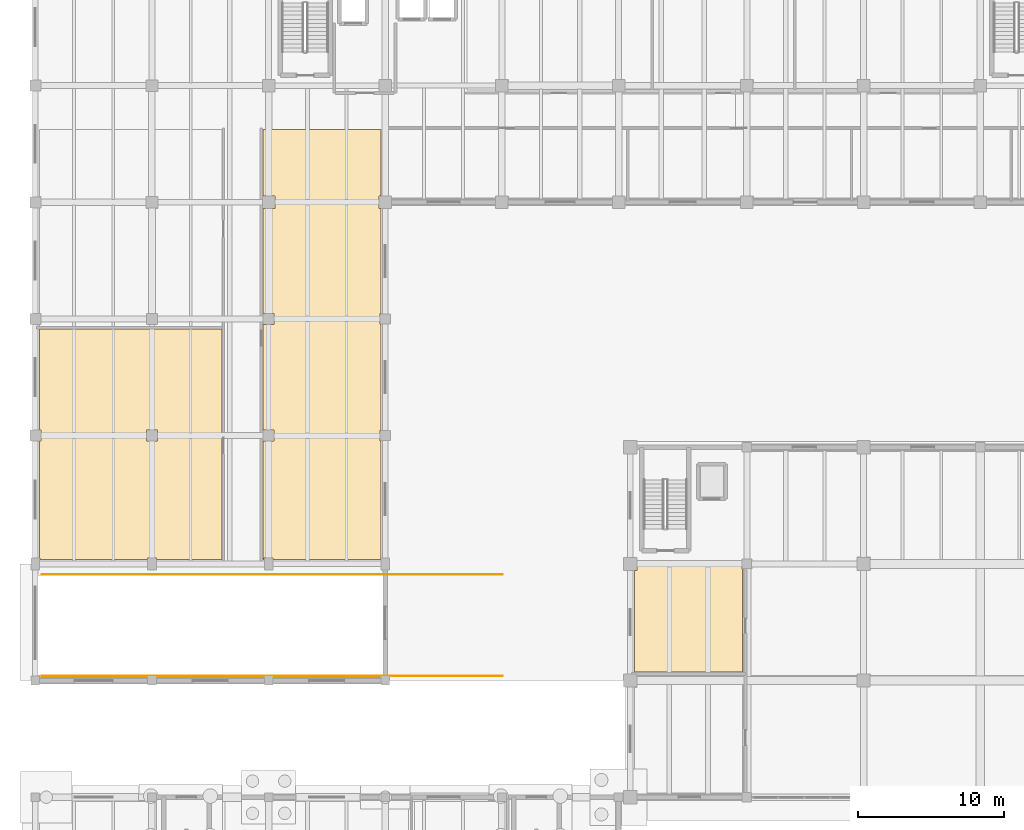
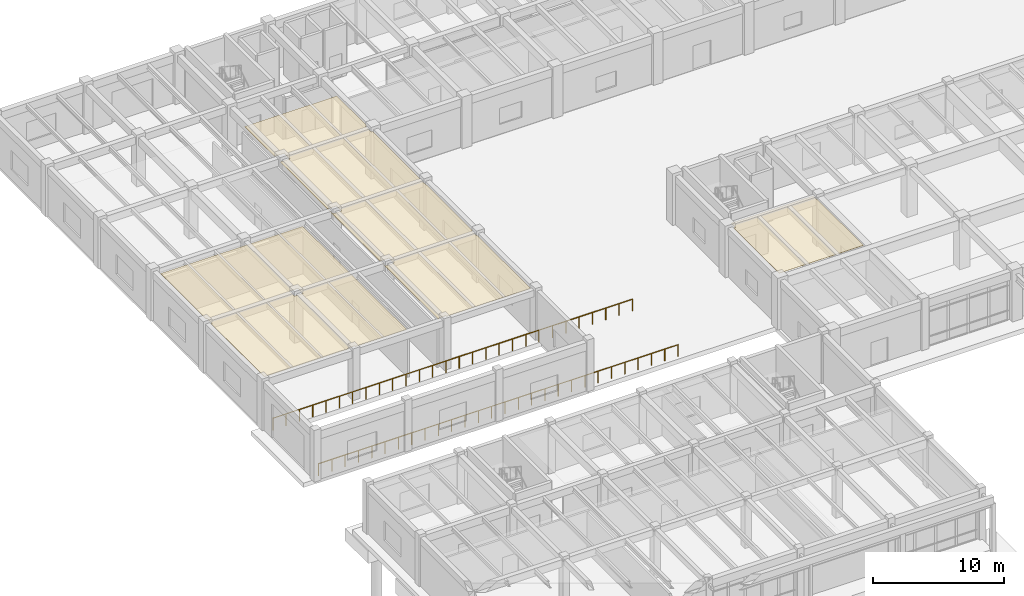
# One storey, part 49 of 64: 3 coverings, 2 railings.
"""IFC4 building model written with IfcOpenShell, lengths in metres."""

from ifc_helpers import new_model, si_unit, direction, frame, origin, origin_2d, place, context, subcontext, project, spatial, polyline, circle, outline, extrude, material, layer, layer_set, type_object, element, save


model = new_model("IFC4")

# Units and contexts
model_context = context("Model", 3, precision=1e-05, world=origin(), true_north=direction((0.0, 1.0)))
body_context = subcontext(model_context, "Body", "Model", "MODEL_VIEW")
ifc_project = project(units=[si_unit("LENGTHUNIT", "METRE"), si_unit("AREAUNIT", "SQUARE_METRE"), si_unit("VOLUMEUNIT", "CUBIC_METRE"), si_unit("PLANEANGLEUNIT", "RADIAN"), si_unit("MASSUNIT", "GRAM", prefix="KILO")], contexts=[model_context])

# Site, building, storey
site_placement = place(None, origin())
site = spatial("IfcSite", under=ifc_project, at=site_placement, CompositionType="ELEMENT")
building_placement = place(site_placement, origin())
building = spatial("IfcBuilding", under=site, at=building_placement, Name="Tlaxcora Railside Police Headquarters", CompositionType="ELEMENT")
storey_placement = place(building_placement, origin())
storey = spatial("IfcBuildingStorey", under=building, at=storey_placement, Name="L00", CompositionType="ELEMENT", Elevation=0.0)

# Coverings
ifc_material_1 = material(Name="Mineral-fibre acoustic ceiling tile")
ifc_layer = layer(ifc_material_1, 0.034912109375, Name="Mineral-fibre acoustic ceiling tile")
ifc_layer_set = layer_set([ifc_layer], Name="Mineral-fibre acoustic ceiling tile")
covering_type = type_object("IfcCoveringType", Name="Acoustic Suspended Ceiling CLG-01", PredefinedType="CEILING", material=ifc_layer_set)
covering_1_placement = place(storey_placement, frame((0.0, 0.0, 4.364990234375)))
element("IfcCovering", 1, at=covering_1_placement, inside=storey, type_object=covering_type, Name="Public Visitor Accessible WC and Restrooms suspended ceiling", PredefinedType="CEILING", context=body_context, shape_type="SweptSolid", body=[
    extrude(outline(polyline([(46.300048828125, 51.5400390625), (46.300048828125, 44.60009765625), (53.699951171875, 44.60009765625), (53.699951171875, 51.6650390625), (53.6650390625, 51.6650390625), (53.6650390625, 52.199951171875), (46.4599609375, 52.199951171875), (46.4599609375, 51.5400390625), (46.300048828125, 51.5400390625)])), origin(), (0.0, 0.0, 1.0), 0.034912109375),
])
covering_2_placement = place(storey_placement, frame((0.0, 0.0, 4.364990234375)))
element("IfcCovering", 2, at=covering_2_placement, inside=storey, type_object=covering_type, Name="Rapid-Response Squad Ready Room suspended ceiling", PredefinedType="CEILING", context=body_context, shape_type="SweptSolid", body=[
    extrude(outline(polyline([(18.0, 52.300048828125), (18.0, 68.10498046875), (5.5, 68.10498046875), (5.5, 61.18505859375), (5.5849609375, 61.18505859375), (5.5849609375, 60.4150390625), (5.5, 60.4150390625), (5.5, 52.409912109375), (5.510009765625, 52.409912109375), (5.510009765625, 52.300048828125), (12.889892578125, 52.300048828125), (12.889892578125, 52.409912109375), (13.510009765625, 52.409912109375), (13.510009765625, 52.300048828125), (18.0, 52.300048828125)]), holes=[polyline([(13.5849609375, 60.4150390625), (12.81494140625, 60.4150390625), (12.81494140625, 61.18505859375), (13.5849609375, 61.18505859375), (13.5849609375, 60.4150390625)])]), origin(), (0.0, 0.0, 1.0), 0.034912109375),
])
covering_3_placement = place(storey_placement, frame((0.0, 0.0, 4.364990234375)))
element("IfcCovering", 3, at=covering_3_placement, inside=storey, type_object=covering_type, Name="Court-Side Case Team Room L00 suspended ceiling", PredefinedType="CEILING", context=body_context, shape_type="SweptSolid", body=[
    extrude(outline(polyline([(20.889892578125, 52.300048828125), (20.889892578125, 52.409912109375), (21.510009765625, 52.409912109375), (21.510009765625, 52.300048828125), (28.889892578125, 52.300048828125), (28.889892578125, 52.409912109375), (28.89990234375, 52.409912109375), (28.89990234375, 60.43994140625), (28.840087890625, 60.43994140625), (28.840087890625, 61.159912109375), (28.89990234375, 61.159912109375), (28.89990234375, 68.43994140625), (28.840087890625, 68.43994140625), (28.840087890625, 69.159912109375), (28.89990234375, 69.159912109375), (28.89990234375, 76.364990234375), (28.764892578125, 76.364990234375), (28.764892578125, 77.235107421875), (28.89990234375, 77.235107421875), (28.89990234375, 81.800048828125), (20.800048828125, 81.800048828125), (20.800048828125, 77.235107421875), (21.635009765625, 77.235107421875), (21.635009765625, 76.364990234375), (20.800048828125, 76.364990234375), (20.800048828125, 52.300048828125), (20.889892578125, 52.300048828125)]), holes=[polyline([(20.81494140625, 61.18505859375), (21.5849609375, 61.18505859375), (21.5849609375, 60.4150390625), (20.81494140625, 60.4150390625), (20.81494140625, 61.18505859375)]), polyline([(21.5849609375, 69.18505859375), (21.5849609375, 68.4150390625), (20.81494140625, 68.4150390625), (20.81494140625, 69.18505859375), (21.5849609375, 69.18505859375)])]), origin(), (0.0, 0.0, 1.0), 0.034912109375),
])

# Railings
ifc_material_2 = material(Name="Steel ASTM A992 Grade 50", Category="steel")
railing_type = type_object("IfcRailingType", Name="Terrace Perimeter Guard Balustrade GR-01", PredefinedType="BALUSTRADE", material=ifc_material_2)
railing_1_placement = place(storey_placement, frame((5.64990234375, 44.320068359375, 0.0)))
element("IfcRailing", 4, at=railing_1_placement, inside=storey, type_object=railing_type, Name="Atrium and well guard L00-13", PredefinedType="BALUSTRADE", context=body_context, shape_type="SweptSolid", body=[
    extrude(circle(Radius=0.02392578125, at=origin_2d()), frame((0.0, 0.0, 1.09619140625), z_axis=(1.0, 0.0, 0.0), x_axis=(0.0, 1.0, 0.0)), (0.0, 0.0, 1.0), 31.60009765625),
    extrude(circle(Radius=0.02099609375, at=origin_2d()), origin(), (0.0, 0.0, 1.0), 1.072021484375),
    extrude(circle(Radius=0.02099609375, at=origin_2d()), frame((1.17041015625, 0.0, 0.0)), (0.0, 0.0, 1.0), 1.072021484375),
    extrude(circle(Radius=0.02099609375, at=origin_2d()), frame((2.3408203125, 0.0, 0.0)), (0.0, 0.0, 1.0), 1.072021484375),
    extrude(circle(Radius=0.02099609375, at=origin_2d()), frame((3.51123046875, 0.0, 0.0)), (0.0, 0.0, 1.0), 1.072021484375),
    extrude(circle(Radius=0.02099609375, at=origin_2d()), frame((4.681396484375, 0.0, 0.0)), (0.0, 0.0, 1.0), 1.072021484375),
    extrude(circle(Radius=0.02099609375, at=origin_2d()), frame((5.851806640625, 0.0, 0.0)), (0.0, 0.0, 1.0), 1.072021484375),
    extrude(circle(Radius=0.02099609375, at=origin_2d()), frame((7.022216796875, 0.0, 0.0)), (0.0, 0.0, 1.0), 1.072021484375),
    extrude(circle(Radius=0.02099609375, at=origin_2d()), frame((8.192626953125, 0.0, 0.0)), (0.0, 0.0, 1.0), 1.072021484375),
    extrude(circle(Radius=0.02099609375, at=origin_2d()), frame((9.363037109375, 0.0, 0.0)), (0.0, 0.0, 1.0), 1.072021484375),
    extrude(circle(Radius=0.02099609375, at=origin_2d()), frame((10.533447265625, 0.0, 0.0)), (0.0, 0.0, 1.0), 1.072021484375),
    extrude(circle(Radius=0.02099609375, at=origin_2d()), frame((11.703857421875, 0.0, 0.0)), (0.0, 0.0, 1.0), 1.072021484375),
    extrude(circle(Radius=0.02099609375, at=origin_2d()), frame((12.8740234375, 0.0, 0.0)), (0.0, 0.0, 1.0), 1.072021484375),
    extrude(circle(Radius=0.02099609375, at=origin_2d()), frame((14.04443359375, 0.0, 0.0)), (0.0, 0.0, 1.0), 1.072021484375),
    extrude(circle(Radius=0.02099609375, at=origin_2d()), frame((15.21484375, 0.0, 0.0)), (0.0, 0.0, 1.0), 1.072021484375),
    extrude(circle(Radius=0.02099609375, at=origin_2d()), frame((16.38525390625, 0.0, 0.0)), (0.0, 0.0, 1.0), 1.072021484375),
    extrude(circle(Radius=0.02099609375, at=origin_2d()), frame((17.5556640625, 0.0, 0.0)), (0.0, 0.0, 1.0), 1.072021484375),
    extrude(circle(Radius=0.02099609375, at=origin_2d()), frame((18.72607421875, 0.0, 0.0)), (0.0, 0.0, 1.0), 1.072021484375),
    extrude(circle(Radius=0.02099609375, at=origin_2d()), frame((19.896240234375, 0.0, 0.0)), (0.0, 0.0, 1.0), 1.072021484375),
    extrude(circle(Radius=0.02099609375, at=origin_2d()), frame((21.066650390625, 0.0, 0.0)), (0.0, 0.0, 1.0), 1.072021484375),
    extrude(circle(Radius=0.02099609375, at=origin_2d()), frame((22.237060546875, 0.0, 0.0)), (0.0, 0.0, 1.0), 1.072021484375),
    extrude(circle(Radius=0.02099609375, at=origin_2d()), frame((23.407470703125, 0.0, 0.0)), (0.0, 0.0, 1.0), 1.072021484375),
    extrude(circle(Radius=0.02099609375, at=origin_2d()), frame((24.577880859375, 0.0, 0.0)), (0.0, 0.0, 1.0), 1.072021484375),
    extrude(circle(Radius=0.02099609375, at=origin_2d()), frame((25.748291015625, 0.0, 0.0)), (0.0, 0.0, 1.0), 1.072021484375),
    extrude(circle(Radius=0.02099609375, at=origin_2d()), frame((26.918701171875, 0.0, 0.0)), (0.0, 0.0, 1.0), 1.072021484375),
    extrude(circle(Radius=0.02099609375, at=origin_2d()), frame((28.0888671875, 0.0, 0.0)), (0.0, 0.0, 1.0), 1.072021484375),
    extrude(circle(Radius=0.02099609375, at=origin_2d()), frame((29.25927734375, 0.0, 0.0)), (0.0, 0.0, 1.0), 1.072021484375),
    extrude(circle(Radius=0.02099609375, at=origin_2d()), frame((30.4296875, 0.0, 0.0)), (0.0, 0.0, 1.0), 1.072021484375),
    extrude(circle(Radius=0.02099609375, at=origin_2d()), frame((31.60009765625, 0.0, 0.0)), (0.0, 0.0, 1.0), 1.072021484375),
])
railing_2_placement = place(storey_placement, frame((5.64990234375, 51.280029296875, 0.0)))
element("IfcRailing", 5, at=railing_2_placement, inside=storey, type_object=railing_type, Name="Atrium and well guard L00-14", PredefinedType="BALUSTRADE", context=body_context, shape_type="SweptSolid", body=[
    extrude(circle(Radius=0.02392578125, at=origin_2d()), frame((0.0, 0.0, 1.09619140625), z_axis=(1.0, 0.0, 0.0), x_axis=(0.0, 1.0, 0.0)), (0.0, 0.0, 1.0), 31.60009765625),
    extrude(circle(Radius=0.02099609375, at=origin_2d()), origin(), (0.0, 0.0, 1.0), 1.072021484375),
    extrude(circle(Radius=0.02099609375, at=origin_2d()), frame((1.17041015625, 0.0, 0.0)), (0.0, 0.0, 1.0), 1.072021484375),
    extrude(circle(Radius=0.02099609375, at=origin_2d()), frame((2.3408203125, 0.0, 0.0)), (0.0, 0.0, 1.0), 1.072021484375),
    extrude(circle(Radius=0.02099609375, at=origin_2d()), frame((3.51123046875, 0.0, 0.0)), (0.0, 0.0, 1.0), 1.072021484375),
    extrude(circle(Radius=0.02099609375, at=origin_2d()), frame((4.681396484375, 0.0, 0.0)), (0.0, 0.0, 1.0), 1.072021484375),
    extrude(circle(Radius=0.02099609375, at=origin_2d()), frame((5.851806640625, 0.0, 0.0)), (0.0, 0.0, 1.0), 1.072021484375),
    extrude(circle(Radius=0.02099609375, at=origin_2d()), frame((7.022216796875, 0.0, 0.0)), (0.0, 0.0, 1.0), 1.072021484375),
    extrude(circle(Radius=0.02099609375, at=origin_2d()), frame((8.192626953125, 0.0, 0.0)), (0.0, 0.0, 1.0), 1.072021484375),
    extrude(circle(Radius=0.02099609375, at=origin_2d()), frame((9.363037109375, 0.0, 0.0)), (0.0, 0.0, 1.0), 1.072021484375),
    extrude(circle(Radius=0.02099609375, at=origin_2d()), frame((10.533447265625, 0.0, 0.0)), (0.0, 0.0, 1.0), 1.072021484375),
    extrude(circle(Radius=0.02099609375, at=origin_2d()), frame((11.703857421875, 0.0, 0.0)), (0.0, 0.0, 1.0), 1.072021484375),
    extrude(circle(Radius=0.02099609375, at=origin_2d()), frame((12.8740234375, 0.0, 0.0)), (0.0, 0.0, 1.0), 1.072021484375),
    extrude(circle(Radius=0.02099609375, at=origin_2d()), frame((14.04443359375, 0.0, 0.0)), (0.0, 0.0, 1.0), 1.072021484375),
    extrude(circle(Radius=0.02099609375, at=origin_2d()), frame((15.21484375, 0.0, 0.0)), (0.0, 0.0, 1.0), 1.072021484375),
    extrude(circle(Radius=0.02099609375, at=origin_2d()), frame((16.38525390625, 0.0, 0.0)), (0.0, 0.0, 1.0), 1.072021484375),
    extrude(circle(Radius=0.02099609375, at=origin_2d()), frame((17.5556640625, 0.0, 0.0)), (0.0, 0.0, 1.0), 1.072021484375),
    extrude(circle(Radius=0.02099609375, at=origin_2d()), frame((18.72607421875, 0.0, 0.0)), (0.0, 0.0, 1.0), 1.072021484375),
    extrude(circle(Radius=0.02099609375, at=origin_2d()), frame((19.896240234375, 0.0, 0.0)), (0.0, 0.0, 1.0), 1.072021484375),
    extrude(circle(Radius=0.02099609375, at=origin_2d()), frame((21.066650390625, 0.0, 0.0)), (0.0, 0.0, 1.0), 1.072021484375),
    extrude(circle(Radius=0.02099609375, at=origin_2d()), frame((22.237060546875, 0.0, 0.0)), (0.0, 0.0, 1.0), 1.072021484375),
    extrude(circle(Radius=0.02099609375, at=origin_2d()), frame((23.407470703125, 0.0, 0.0)), (0.0, 0.0, 1.0), 1.072021484375),
    extrude(circle(Radius=0.02099609375, at=origin_2d()), frame((24.577880859375, 0.0, 0.0)), (0.0, 0.0, 1.0), 1.072021484375),
    extrude(circle(Radius=0.02099609375, at=origin_2d()), frame((25.748291015625, 0.0, 0.0)), (0.0, 0.0, 1.0), 1.072021484375),
    extrude(circle(Radius=0.02099609375, at=origin_2d()), frame((26.918701171875, 0.0, 0.0)), (0.0, 0.0, 1.0), 1.072021484375),
    extrude(circle(Radius=0.02099609375, at=origin_2d()), frame((28.0888671875, 0.0, 0.0)), (0.0, 0.0, 1.0), 1.072021484375),
    extrude(circle(Radius=0.02099609375, at=origin_2d()), frame((29.25927734375, 0.0, 0.0)), (0.0, 0.0, 1.0), 1.072021484375),
    extrude(circle(Radius=0.02099609375, at=origin_2d()), frame((30.4296875, 0.0, 0.0)), (0.0, 0.0, 1.0), 1.072021484375),
    extrude(circle(Radius=0.02099609375, at=origin_2d()), frame((31.60009765625, 0.0, 0.0)), (0.0, 0.0, 1.0), 1.072021484375),
])

save(model, "model.ifc")
